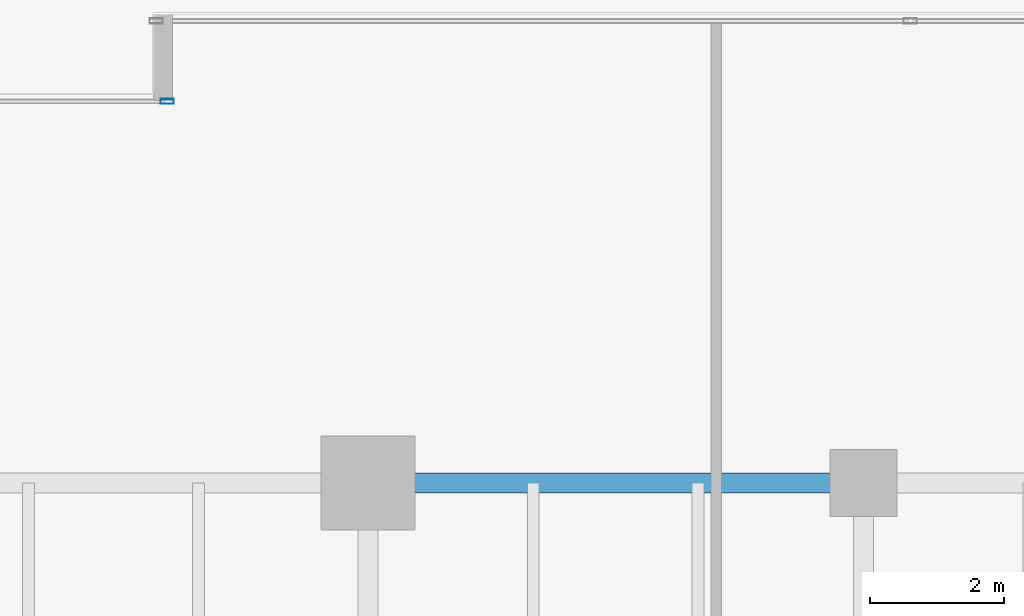
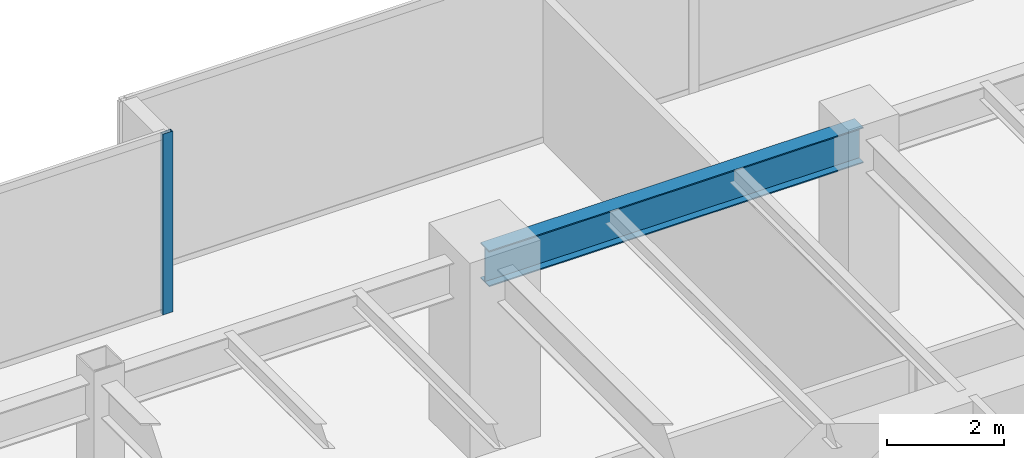
# One storey, part 20 of 36: 1 beam, 1 member, 1 element without a shape of its own.
"""IFC4 building model written with IfcOpenShell, lengths in metres."""

from ifc_helpers import new_model, si_unit, direction, frame, origin, origin_2d, place, context, subcontext, project, spatial, hollow_rectangle, i_section, extrude, source, transform, mapped, material, layer, layer_set, material_profile, profile_set, type_object, type_shapes, element, aggregate, save


model = new_model("IFC4")

# Units and contexts
model_context = context("Model", 3, precision=1e-05, world=origin(), true_north=direction((0.0, 1.0)))
body_context = subcontext(model_context, "Body", "Model", "MODEL_VIEW")
ifc_project = project(units=[si_unit("LENGTHUNIT", "METRE"), si_unit("AREAUNIT", "SQUARE_METRE"), si_unit("VOLUMEUNIT", "CUBIC_METRE"), si_unit("PLANEANGLEUNIT", "RADIAN"), si_unit("MASSUNIT", "GRAM", prefix="KILO")], contexts=[model_context])

# Site, building, storey
site_placement = place(None, origin())
site = spatial("IfcSite", under=ifc_project, at=site_placement, CompositionType="ELEMENT")
building_placement = place(site_placement, origin())
building = spatial("IfcBuilding", under=site, at=building_placement, Name="Haelvirn Gate Laboratories", CompositionType="ELEMENT")
storey_placement = place(building_placement, frame((0.0, 0.0, 25.199951171875)))
storey = spatial("IfcBuildingStorey", under=building, at=storey_placement, Name="L06", CompositionType="ELEMENT", Elevation=25.199951171875)

# Beam
ifc_material_1 = material(Name="Steel SM355", Category="steel")
ifc_material_profile_1 = material_profile(ifc_material_1, i_section(OverallWidth=0.300048828125, OverallDepth=0.75, WebThickness=0.013916015625, FlangeThickness=0.02392578125, at=origin_2d()), Name="H-750x300x14x24")
ifc_profile_set_1 = profile_set([ifc_material_profile_1], Name="Steel SM355")
beam_type = type_object("IfcBeamType", Name="BM-G-750", PredefinedType="BEAM", material=ifc_profile_set_1)
shared_shape_1 = source(origin(), body_context, "Body", "SweptSolid", [
    extrude(i_section(OverallWidth=0.300048828125, OverallDepth=0.75, WebThickness=0.013916015625, FlangeThickness=0.02392578125, at=origin_2d()), origin(), (0.0, 0.0, 1.0), 7.39990234375),
])
type_shapes(beam_type, [shared_shape_1])
beam_placement = place(storey_placement, frame((52.60009765625, 41.60009765625, 3.405029296875), z_axis=(1.0, 0.0, 0.0), x_axis=(0.0, 1.0, 0.0)))
element("IfcBeam", 1, at=beam_placement, inside=storey, type_object=beam_type, Name="L06 Primary Girder Y41.6 (52.6-60.0)", PredefinedType="BEAM", context=body_context, shape_type="MappedRepresentation", body=[
    mapped(shared_shape_1, transform((0.0, 0.0, 0.0), scale=1.0)),
])

# Curtain wall, member
ifc_material_2 = material(Name="Anodised bronze unitised aluminium & triple low-E glass", Category="aluminium")
ifc_layer = layer(ifc_material_2, 0.18408203125, Name="CW-SYS-2")
ifc_layer_set = layer_set([ifc_layer], Name="Anodised bronze unitised aluminium & triple low-E glass")
curtain_wall_type = type_object("IfcCurtainWallType", Name="CW-SYS-2", PredefinedType="NOTDEFINED", material=ifc_layer_set)
curtain_wall_placement = place(storey_placement, origin())
curtain_wall = element("IfcCurtainWall", 2, at=curtain_wall_placement, inside=storey, type_object=curtain_wall_type, Name="L06 Unitised Curtain Wall CW-L06-P0-E12-1", PredefinedType="NOTDEFINED")
ifc_material_3 = material(Name="Extruded aluminium 6063-T6 (anodised bronze)", Category="aluminium")
ifc_material_profile_2 = material_profile(ifc_material_3, hollow_rectangle(XDim=0.074951171875, YDim=0.199951171875, WallThickness=0.0048828125, at=origin_2d()), Name="CWM-200x75x5")
ifc_profile_set_2 = profile_set([ifc_material_profile_2], Name="Extruded aluminium 6063-T6 (anodised bronze)")
member_type = type_object("IfcMemberType", Name="CWM-T200", PredefinedType="MULLION", material=ifc_profile_set_2)
shared_shape_2 = source(origin(), body_context, "Body", "SweptSolid", [
    extrude(hollow_rectangle(XDim=0.074951171875, YDim=0.199951171875, WallThickness=0.0048828125, at=origin_2d()), origin(), (0.0, 0.0, 1.0), 3.780029296875),
])
type_shapes(member_type, [shared_shape_2])
member_placement = place(storey_placement, frame((49.6025390625, 47.300048828125, 0.0), z_axis=(0.0, 0.0, 1.0), x_axis=(0.0, 1.0, 0.0)))
member = element("IfcMember", 3, at=member_placement, type_object=member_type, Name="CW2 mullion 3", PredefinedType="MULLION", context=body_context, shape_type="MappedRepresentation", body=[
    mapped(shared_shape_2, transform((0.0, 0.0, 0.0), scale=1.0)),
])
aggregate(curtain_wall, [member])

save(model, "model.ifc")
